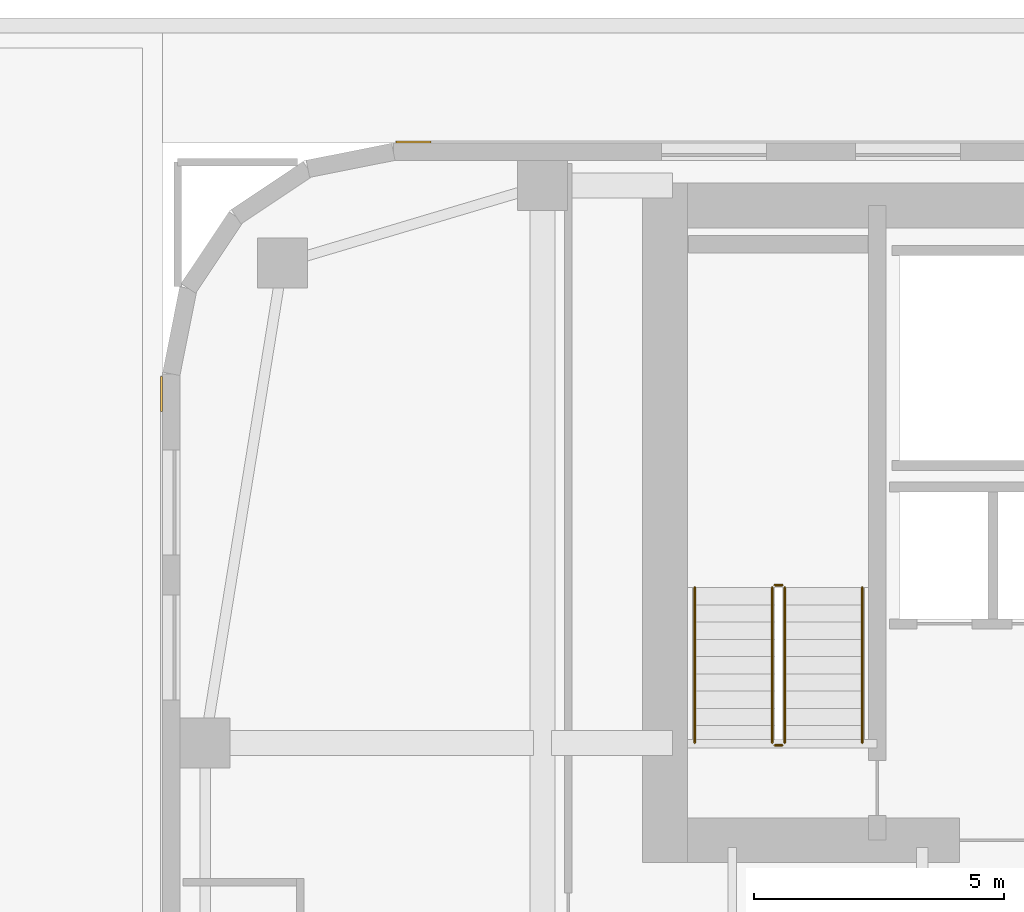
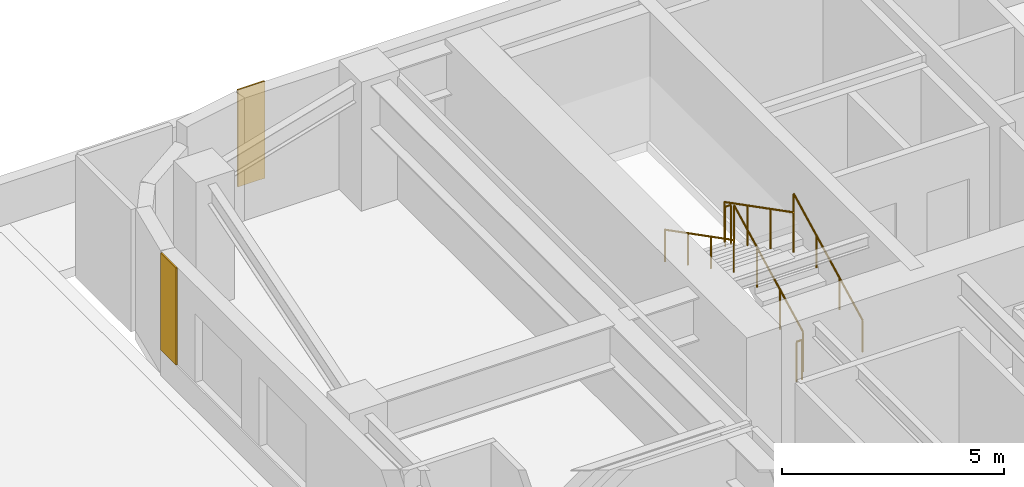
# One storey, part 22 of 25: 6 railings, 2 coverings.
"""IFC4 building model written with IfcOpenShell, lengths in metres."""

from ifc_helpers import new_model, si_unit, direction, frame, origin, origin_2d, place, context, subcontext, project, spatial, polyline, circle, outline, extrude, material, layer, layer_set, type_object, element, save


model = new_model("IFC4")

# Units and contexts
model_context = context("Model", 3, precision=1e-05, world=origin(), true_north=direction((0.0, 1.0)))
body_context = subcontext(model_context, "Body", "Model", "MODEL_VIEW")
ifc_project = project(units=[si_unit("LENGTHUNIT", "METRE"), si_unit("AREAUNIT", "SQUARE_METRE"), si_unit("VOLUMEUNIT", "CUBIC_METRE"), si_unit("PLANEANGLEUNIT", "RADIAN"), si_unit("MASSUNIT", "GRAM", prefix="KILO")], contexts=[model_context])

# Site, building, storey
site_placement = place(None, origin())
site = spatial("IfcSite", under=ifc_project, at=site_placement, CompositionType="ELEMENT")
building_placement = place(site_placement, origin())
building = spatial("IfcBuilding", under=site, at=building_placement, Name="Tolvann Quenvar Hotel", CompositionType="ELEMENT")
storey_placement = place(building_placement, frame((0.0, 0.0, 32.0)))
storey = spatial("IfcBuildingStorey", under=building, at=storey_placement, Name="L06", CompositionType="ELEMENT", Elevation=32.0)

# Coverings
ifc_material_1 = material(Name="Kiln-fired red architectural face brick cladding", Category="masonry")
ifc_layer = layer(ifc_material_1, 0.0400390625)
ifc_layer_set = layer_set([ifc_layer], Name="Kiln-fired red architectural face brick cladding")
covering_type = type_object("IfcCoveringType", Name="COV_CLAD_BRICK_40", PredefinedType="CLADDING", material=ifc_layer_set)
covering_1_placement = place(storey_placement, frame((0.0, 0.0, 0.699951171875)))
element("IfcCovering", 1, at=covering_1_placement, inside=storey, type_object=covering_type, Name="Brick Pier Cladding (L06-E18-P2)", PredefinedType="CLADDING", context=body_context, shape_type="SweptSolid", body=[
    extrude(outline(polyline([(5.3671875, 46.0), (4.667236328125, 46.0), (4.667236328125, 46.0400390625), (5.3671875, 46.0400390625), (5.3671875, 46.0)])), origin(), (0.0, 0.0, 1.0), 2.670166015625),
])
covering_2_placement = place(storey_placement, frame((0.0, 0.0, 0.699951171875)))
element("IfcCovering", 2, at=covering_2_placement, inside=storey, type_object=covering_type, Name="Brick Pier Cladding (L06-E23-P1)", PredefinedType="CLADDING", context=body_context, shape_type="SweptSolid", body=[
    extrude(outline(polyline([(0.0, 41.332763671875), (0.0, 40.6328125), (-0.0400390625, 40.6328125), (-0.0400390625, 41.332763671875), (0.0, 41.332763671875)])), origin(), (0.0, 0.0, 1.0), 2.670166015625),
])

# Railings
ifc_material_2 = material(Name="Brushed 316 stainless steel balustrade and handrail", Category="steel")
railing_type_1 = type_object("IfcRailingType", Name="GUARDRAIL", PredefinedType="GUARDRAIL", material=ifc_material_2)
railing_1_placement = place(storey_placement, frame((12.449951171875, 34.0, 0.177490234375)))
element("IfcRailing", 3, at=railing_1_placement, inside=storey, type_object=railing_type_1, Name="L06 ST-C1 stair guard 1", PredefinedType="GUARDRAIL", context=body_context, shape_type="SweptSolid", body=[
    extrude(circle(Radius=0.02392578125, at=origin_2d()), frame((0.0, 0.0, 1.09619140625), z_axis=(0.0, 0.889221982265, 0.45747597342), x_axis=(-1.0, 0.0, 0.0)), (0.0, 0.0, 1.0), 3.49169921875),
    extrude(circle(Radius=0.02099609375, at=origin_2d()), origin(), (0.0, 0.0, 1.0), 1.072021484375),
    extrude(circle(Radius=0.02099609375, at=origin_2d()), frame((0.0, 1.034912109375, 0.532470703125)), (0.0, 0.0, 1.0), 1.072021484375),
    extrude(circle(Radius=0.02099609375, at=origin_2d()), frame((0.0, 2.070068359375, 1.06494140625)), (0.0, 0.0, 1.0), 1.072021484375),
    extrude(circle(Radius=0.02099609375, at=origin_2d()), frame((0.0, 3.10498046875, 1.597412109375)), (0.0, 0.0, 1.0), 1.072021484375),
])
railing_2_placement = place(storey_placement, frame((12.39990234375, 37.155029296875, 1.77490234375)))
element("IfcRailing", 4, at=railing_2_placement, inside=storey, type_object=railing_type_1, Name="L06 ST-C1 stair guard 2", PredefinedType="GUARDRAIL", context=body_context, shape_type="SweptSolid", body=[
    extrude(circle(Radius=0.02392578125, at=origin_2d()), frame((0.0, 0.0, 1.09619140625), z_axis=(-1.0, 0.0, 0.0), x_axis=(0.0, -1.0, 0.0)), (0.0, 0.0, 1.0), 0.14990234375),
    extrude(circle(Radius=0.02099609375, at=origin_2d()), origin(), (0.0, 0.0, 1.0), 1.072021484375),
    extrude(circle(Radius=0.02099609375, at=origin_2d()), frame((-0.14990234375, 0.0, 0.0)), (0.0, 0.0, 1.0), 1.072021484375),
])
railing_3_placement = place(storey_placement, frame((12.199951171875, 37.10498046875, 1.952392578125)))
element("IfcRailing", 5, at=railing_3_placement, inside=storey, type_object=railing_type_1, Name="L06 ST-C1 stair guard 3", PredefinedType="GUARDRAIL", context=body_context, shape_type="SweptSolid", body=[
    extrude(circle(Radius=0.02392578125, at=origin_2d()), frame((0.0, 0.0, 1.09619140625), z_axis=(0.0, -0.88919353882, 0.457531256332), x_axis=(1.0, 0.0, 0.0)), (0.0, 0.0, 1.0), 3.491943359375),
    extrude(circle(Radius=0.02099609375, at=origin_2d()), origin(), (0.0, 0.0, 1.0), 1.072021484375),
    extrude(circle(Radius=0.02099609375, at=origin_2d()), frame((0.0, -1.034912109375, 0.532470703125)), (0.0, 0.0, 1.0), 1.072021484375),
    extrude(circle(Radius=0.02099609375, at=origin_2d()), frame((0.0, -2.070068359375, 1.065185546875)), (0.0, 0.0, 1.0), 1.072021484375),
    extrude(circle(Radius=0.02099609375, at=origin_2d()), frame((0.0, -3.10498046875, 1.59765625)), (0.0, 0.0, 1.0), 1.072021484375),
])
railing_4_placement = place(storey_placement, frame((12.39990234375, 33.949951171875, 0.0)))
element("IfcRailing", 6, at=railing_4_placement, inside=storey, type_object=railing_type_1, Name="L06 ST-C1 stair guard 4", PredefinedType="GUARDRAIL", context=body_context, shape_type="SweptSolid", body=[
    extrude(circle(Radius=0.02392578125, at=origin_2d()), frame((0.0, 0.0, 1.09619140625), z_axis=(-1.0, 0.0, 0.0), x_axis=(0.0, -1.0, 0.0)), (0.0, 0.0, 1.0), 0.14990234375),
    extrude(circle(Radius=0.02099609375, at=origin_2d()), origin(), (0.0, 0.0, 1.0), 1.072021484375),
    extrude(circle(Radius=0.02099609375, at=origin_2d()), frame((-0.14990234375, 0.0, 0.0)), (0.0, 0.0, 1.0), 1.072021484375),
])
railing_type_2 = type_object("IfcRailingType", Name="HANDRAIL", PredefinedType="HANDRAIL", material=ifc_material_2)
railing_5_placement = place(storey_placement, frame((14.0, 34.0, 0.177490234375)))
element("IfcRailing", 7, at=railing_5_placement, inside=storey, type_object=railing_type_2, Name="L06 ST-C1 stair handrail 1", PredefinedType="HANDRAIL", context=body_context, shape_type="SweptSolid", body=[
    extrude(circle(Radius=0.02392578125, at=origin_2d()), frame((0.0, 0.0, 0.8759765625), z_axis=(0.0, 0.889221982265, 0.45747597342), x_axis=(-1.0, 0.0, 0.0)), (0.0, 0.0, 1.0), 3.49169921875),
    extrude(circle(Radius=0.02099609375, at=origin_2d()), origin(), (0.0, 0.0, 1.0), 0.851806640625),
    extrude(circle(Radius=0.02099609375, at=origin_2d()), frame((0.0, 1.034912109375, 0.532470703125)), (0.0, 0.0, 1.0), 0.851806640625),
    extrude(circle(Radius=0.02099609375, at=origin_2d()), frame((0.0, 2.070068359375, 1.06494140625)), (0.0, 0.0, 1.0), 0.851806640625),
    extrude(circle(Radius=0.02099609375, at=origin_2d()), frame((0.0, 3.10498046875, 1.597412109375)), (0.0, 0.0, 1.0), 0.851806640625),
])
railing_6_placement = place(storey_placement, frame((10.64990234375, 37.10498046875, 1.952392578125)))
element("IfcRailing", 8, at=railing_6_placement, inside=storey, type_object=railing_type_2, Name="L06 ST-C1 stair handrail 2", PredefinedType="HANDRAIL", context=body_context, shape_type="SweptSolid", body=[
    extrude(circle(Radius=0.02392578125, at=origin_2d()), frame((0.0, 0.0, 0.8759765625), z_axis=(0.0, -0.88919353882, 0.457531256332), x_axis=(1.0, 0.0, 0.0)), (0.0, 0.0, 1.0), 3.491943359375),
    extrude(circle(Radius=0.02099609375, at=origin_2d()), origin(), (0.0, 0.0, 1.0), 0.851806640625),
    extrude(circle(Radius=0.02099609375, at=origin_2d()), frame((0.0, -1.034912109375, 0.532470703125)), (0.0, 0.0, 1.0), 0.851806640625),
    extrude(circle(Radius=0.02099609375, at=origin_2d()), frame((0.0, -2.070068359375, 1.065185546875)), (0.0, 0.0, 1.0), 0.851806640625),
    extrude(circle(Radius=0.02099609375, at=origin_2d()), frame((0.0, -3.10498046875, 1.59765625)), (0.0, 0.0, 1.0), 0.851806640625),
])

save(model, "model.ifc")
